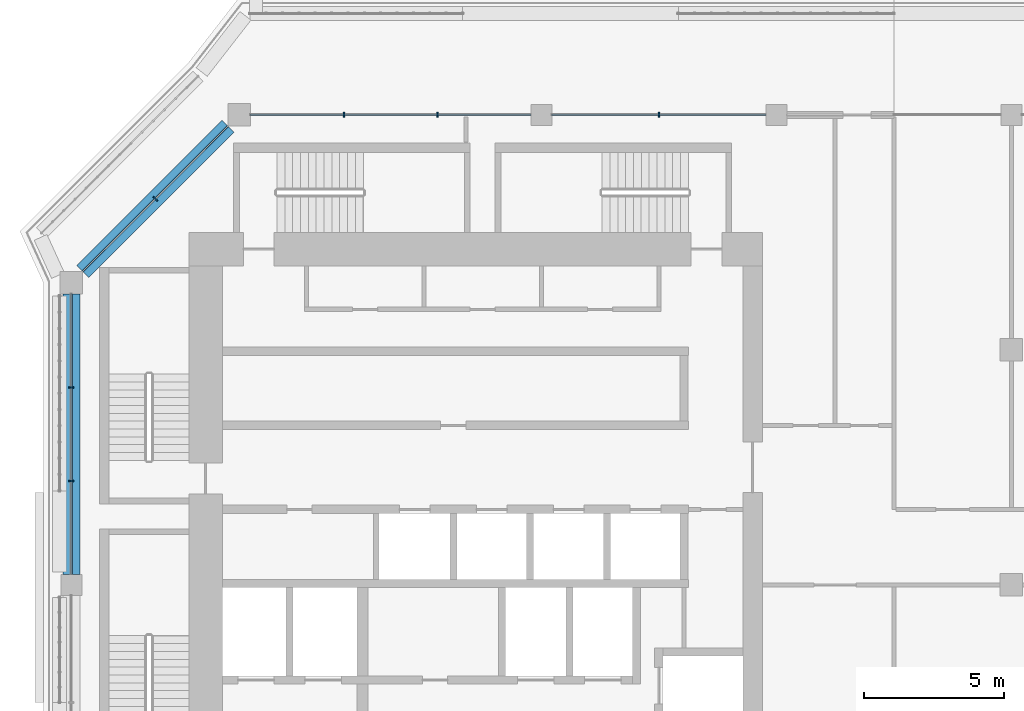
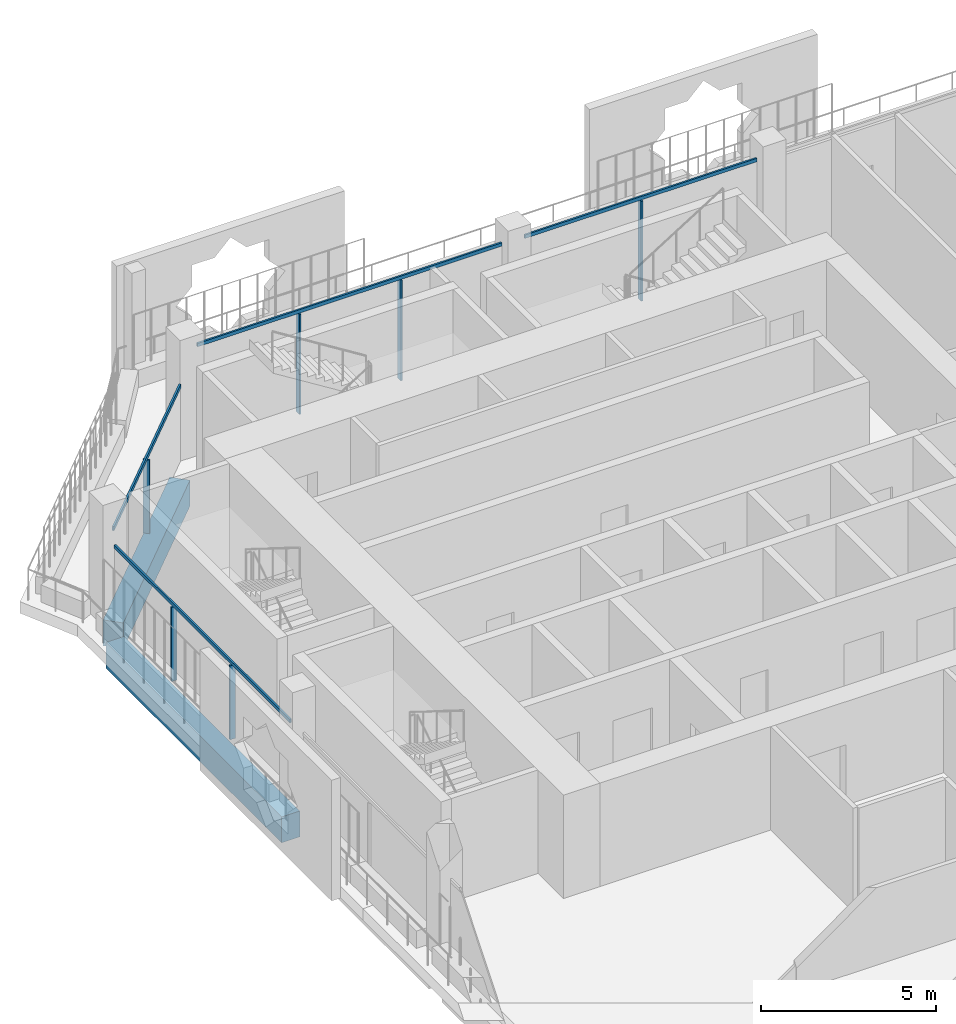
# One storey, part 6 of 21: 10 members, 2 beams, 3 elements without a shape of their own.
"""IFC4 building model written with IfcOpenShell, lengths in metres."""

from ifc_helpers import new_model, si_unit, direction, frame, origin, origin_2d, place, context, subcontext, project, spatial, rectangle, extrude, material, layer, layer_set, material_profile, profile_set, type_object, element, aggregate, save


model = new_model("IFC4")

# Units and contexts
model_context = context("Model", 3, precision=1e-05, world=origin(), true_north=direction((0.0, 1.0)))
body_context = subcontext(model_context, "Body", "Model", "MODEL_VIEW")
ifc_project = project(units=[si_unit("LENGTHUNIT", "METRE"), si_unit("AREAUNIT", "SQUARE_METRE"), si_unit("VOLUMEUNIT", "CUBIC_METRE"), si_unit("PLANEANGLEUNIT", "RADIAN"), si_unit("MASSUNIT", "GRAM", prefix="KILO")], contexts=[model_context])

# Site, building, storey
site_placement = place(None, origin())
site = spatial("IfcSite", under=ifc_project, at=site_placement, CompositionType="ELEMENT")
building_placement = place(site_placement, origin())
building = spatial("IfcBuilding", under=site, at=building_placement, Name="Kawkab Arch Medical Tower", CompositionType="ELEMENT")
storey_placement = place(building_placement, frame((0.0, 0.0, 315.39990234375)))
storey = spatial("IfcBuildingStorey", under=building, at=storey_placement, Name="L73", CompositionType="ELEMENT", Elevation=315.39990234375)

# Curtain wall, members
ifc_material_1 = material(Name="Bronze anodised aluminium curtain wall frame", Category="aluminium")
ifc_layer_1 = layer(ifc_material_1, 0.159912109375)
ifc_layer_set_1 = layer_set([ifc_layer_1], Name="Bronze anodised aluminium curtain wall frame")
curtain_wall_type_1 = type_object("IfcCurtainWallType", Name="CW1 ward curtain wall", PredefinedType="NOTDEFINED", material=ifc_layer_set_1)
placement = place(storey_placement, origin())
curtain_wall_1 = element("IfcCurtainWall", 1, at=placement, inside=storey, type_object=curtain_wall_type_1, Name="CW1 Ward curtain wall R02", PredefinedType="NOTDEFINED")
ifc_material_2 = material(Name="Bronze anodised aluminium curtain wall frame", Category="aluminium")
ifc_material_profile_1 = material_profile(ifc_material_2, rectangle(XDim=0.179931640625, YDim=0.06005859375, at=origin_2d()), Name="AL 60x180")
ifc_profile_set_1 = profile_set([ifc_material_profile_1], Name="Bronze anodised aluminium curtain wall frame")
member_type_1 = type_object("IfcMemberType", Name="CW1 mullion 60 x 180", PredefinedType="MULLION", material=ifc_profile_set_1)
member_1_placement = place(storey_placement, frame((0.0, -9.74169921875, 0.0), z_axis=(0.0, 0.0, 1.0), x_axis=(1.0, 0.0, 0.0)))
member_1 = element("IfcMember", 2, at=member_1_placement, type_object=member_type_1, Name="CW1 mullion 1.1", PredefinedType="MULLION", context=body_context, shape_type="SweptSolid", body=[
    extrude(rectangle(XDim=0.179931640625, YDim=0.06005859375, at=origin_2d()), origin(), (0.0, 0.0, 1.0), 2.580078125),
])
member_2_placement = place(storey_placement, frame((0.0, -13.083251953125, 0.0), z_axis=(0.0, 0.0, 1.0), x_axis=(1.0, 0.0, 0.0)))
member_2 = element("IfcMember", 3, at=member_2_placement, type_object=member_type_1, Name="CW1 mullion 1.2", PredefinedType="MULLION", context=body_context, shape_type="SweptSolid", body=[
    extrude(rectangle(XDim=0.179931640625, YDim=0.06005859375, at=origin_2d()), origin(), (0.0, 0.0, 1.0), 2.580078125),
])

curtain_wall_2 = element("IfcCurtainWall", 4, at=placement, inside=storey, type_object=curtain_wall_type_1, Name="CW1 Ward curtain wall R15", PredefinedType="NOTDEFINED")
member_3_placement = place(storey_placement, frame((21.0, 0.0, 0.0), z_axis=(0.0, 0.0, 1.0), x_axis=(0.0, -1.0, 0.0)))
member_3 = element("IfcMember", 5, at=member_3_placement, type_object=member_type_1, Name="CW1 mullion 4.1", PredefinedType="MULLION", context=body_context, shape_type="SweptSolid", body=[
    extrude(rectangle(XDim=0.179931640625, YDim=0.06005859375, at=origin_2d()), origin(), (0.0, 0.0, 1.0), 3.47998046875),
])
member_4_placement = place(storey_placement, frame((13.083251953125, 0.0, 0.0), z_axis=(0.0, 0.0, 1.0), x_axis=(0.0, -1.0, 0.0)))
member_4 = element("IfcMember", 6, at=member_4_placement, type_object=member_type_1, Name="CW1 mullion 5.1", PredefinedType="MULLION", context=body_context, shape_type="SweptSolid", body=[
    extrude(rectangle(XDim=0.179931640625, YDim=0.06005859375, at=origin_2d()), origin(), (0.0, 0.0, 1.0), 3.47998046875),
])
member_5_placement = place(storey_placement, frame((9.74169921875, 0.0, 0.0), z_axis=(0.0, 0.0, 1.0), x_axis=(0.0, -1.0, 0.0)))
member_5 = element("IfcMember", 7, at=member_5_placement, type_object=member_type_1, Name="CW1 mullion 5.2", PredefinedType="MULLION", context=body_context, shape_type="SweptSolid", body=[
    extrude(rectangle(XDim=0.179931640625, YDim=0.06005859375, at=origin_2d()), origin(), (0.0, 0.0, 1.0), 3.47998046875),
])

# Member
ifc_material_3 = material(Name="Bronze anodised aluminium curtain wall frame", Category="aluminium")
ifc_material_profile_2 = material_profile(ifc_material_3, rectangle(XDim=0.06005859375, YDim=0.1201171875, at=origin_2d()), Name="AL 60x120")
ifc_profile_set_2 = profile_set([ifc_material_profile_2], Name="Bronze anodised aluminium curtain wall frame")
member_type_2 = type_object("IfcMemberType", Name="CW1 transom 120 x 60", PredefinedType="USERDEFINED", material=ifc_profile_set_2)
member_6_placement = place(storey_placement, frame((0.0, -6.39990234375, 2.64013671875), z_axis=(0.0, -1.0, 0.0), x_axis=(1.0, 0.0, 0.0)))
member_6 = element("IfcMember", 8, at=member_6_placement, type_object=member_type_2, Name="CW1 transom 1", ObjectType="TRANSOM", PredefinedType="USERDEFINED", context=body_context, shape_type="SweptSolid", body=[
    extrude(rectangle(XDim=0.06005859375, YDim=0.1201171875, at=origin_2d()), origin(), (0.0, 0.0, 1.0), 10.025146484375),
])

aggregate(curtain_wall_1, [member_6, member_1, member_2])

member_7_placement = place(storey_placement, frame((24.824951171875, 0.0, 3.5400390625), z_axis=(-1.0, 0.0, 0.0), x_axis=(0.0, -1.0, 0.0)))
member_7 = element("IfcMember", 9, at=member_7_placement, type_object=member_type_2, Name="CW1 transom 4", ObjectType="TRANSOM", PredefinedType="USERDEFINED", context=body_context, shape_type="SweptSolid", body=[
    extrude(rectangle(XDim=0.06005859375, YDim=0.1201171875, at=origin_2d()), origin(), (0.0, 0.0, 1.0), 7.64990234375),
])

member_8_placement = place(storey_placement, frame((16.425048828125, 0.0, 3.5400390625), z_axis=(-1.0, 0.0, 0.0), x_axis=(0.0, -1.0, 0.0)))
member_8 = element("IfcMember", 10, at=member_8_placement, type_object=member_type_2, Name="CW1 transom 5", ObjectType="TRANSOM", PredefinedType="USERDEFINED", context=body_context, shape_type="SweptSolid", body=[
    extrude(rectangle(XDim=0.06005859375, YDim=0.1201171875, at=origin_2d()), origin(), (0.0, 0.0, 1.0), 10.025146484375),
])

aggregate(curtain_wall_2, [member_7, member_3, member_8, member_4, member_5])

# Curtain wall, members
ifc_material_4 = material(Name="Bronze anodised aluminium curtain wall frame", Category="aluminium")
ifc_layer_2 = layer(ifc_material_4, 0.159912109375)
ifc_layer_set_2 = layer_set([ifc_layer_2], Name="Bronze anodised aluminium curtain wall frame")
curtain_wall_type_2 = type_object("IfcCurtainWallType", Name="CW2 chamfer curtain wall", PredefinedType="NOTDEFINED", material=ifc_layer_set_2)
curtain_wall_3 = element("IfcCurtainWall", 11, at=placement, inside=storey, type_object=curtain_wall_type_2, Name="CW2 Chamfer curtain wall R01", PredefinedType="NOTDEFINED")
ifc_material_5 = material(Name="Bronze anodised aluminium curtain wall frame", Category="aluminium")
ifc_material_profile_3 = material_profile(ifc_material_5, rectangle(XDim=0.199951171875, YDim=0.06005859375, at=origin_2d()), Name="AL 60x200")
ifc_profile_set_3 = profile_set([ifc_material_profile_3], Name="Bronze anodised aluminium curtain wall frame")
member_type_3 = type_object("IfcMemberType", Name="CW2 mullion 60 x 200", PredefinedType="MULLION", material=ifc_profile_set_3)
member_9_placement = place(storey_placement, frame((3.0, -3.0, 0.0), z_axis=(0.0, 0.0, 1.0), x_axis=(0.707106781187, -0.707106781187, 0.0)))
member_9 = element("IfcMember", 12, at=member_9_placement, type_object=member_type_3, Name="CW2 mullion 1.1", PredefinedType="MULLION", context=body_context, shape_type="SweptSolid", body=[
    extrude(rectangle(XDim=0.199951171875, YDim=0.06005859375, at=origin_2d()), origin(), (0.0, 0.0, 1.0), 2.56005859375),
])
ifc_material_6 = material(Name="Bronze anodised aluminium curtain wall frame", Category="aluminium")
ifc_material_profile_4 = material_profile(ifc_material_6, rectangle(XDim=0.06005859375, YDim=0.139892578125, at=origin_2d()), Name="AL 60x140")
ifc_profile_set_4 = profile_set([ifc_material_profile_4], Name="Bronze anodised aluminium curtain wall frame")
member_type_4 = type_object("IfcMemberType", Name="CW2 transom 140 x 60", PredefinedType="USERDEFINED", material=ifc_profile_set_4)
member_10_placement = place(storey_placement, frame((5.60009765625, -0.39990234375, 2.630126953125), z_axis=(-0.707106781187, -0.707106781187, 0.0), x_axis=(0.707106781187, -0.707106781187, 0.0)))
member_10 = element("IfcMember", 13, at=member_10_placement, type_object=member_type_4, Name="CW2 transom 1", ObjectType="TRANSOM", PredefinedType="USERDEFINED", context=body_context, shape_type="SweptSolid", body=[
    extrude(rectangle(XDim=0.06005859375, YDim=0.139892578125, at=origin_2d()), origin(), (0.0, 0.0, 1.0), 7.354248046875),
])
aggregate(curtain_wall_3, [member_10, member_9])

# Beams
ifc_material_7 = material(Name="Concrete C40/50", Category="concrete")
ifc_material_profile_5 = material_profile(ifc_material_7, rectangle(XDim=0.60009765625, YDim=0.89990234375, at=origin_2d()), Name="RC 600x900")
ifc_profile_set_5 = profile_set([ifc_material_profile_5], Name="Concrete C40/50")
beam_type = type_object("IfcBeamType", Name="RC 600x900 beam C40/50", PredefinedType="BEAM", material=ifc_profile_set_5)
beam_1_placement = place(storey_placement, frame((0.39990234375, -5.60009765625, -1.0498046875), z_axis=(0.707106781187, 0.707106781187, 0.0), x_axis=(-0.707106781187, 0.707106781187, 0.0)))
element("IfcBeam", 14, at=beam_1_placement, inside=storey, type_object=beam_type, Name="Overhang edge beam L73-01", PredefinedType="BEAM", context=body_context, shape_type="SweptSolid", body=[
    extrude(rectangle(XDim=0.60009765625, YDim=0.89990234375, at=origin_2d()), origin(), (0.0, 0.0, 1.0), 7.354248046875),
])
beam_2_placement = place(storey_placement, frame((0.0, -16.425048828125, -1.0498046875), z_axis=(0.0, 1.0, 0.0), x_axis=(-1.0, 0.0, 0.0)))
element("IfcBeam", 15, at=beam_2_placement, inside=storey, type_object=beam_type, Name="Overhang edge beam L73-05", PredefinedType="BEAM", context=body_context, shape_type="SweptSolid", body=[
    extrude(rectangle(XDim=0.60009765625, YDim=0.89990234375, at=origin_2d()), origin(), (0.0, 0.0, 1.0), 10.025146484375),
])

save(model, "model.ifc")
